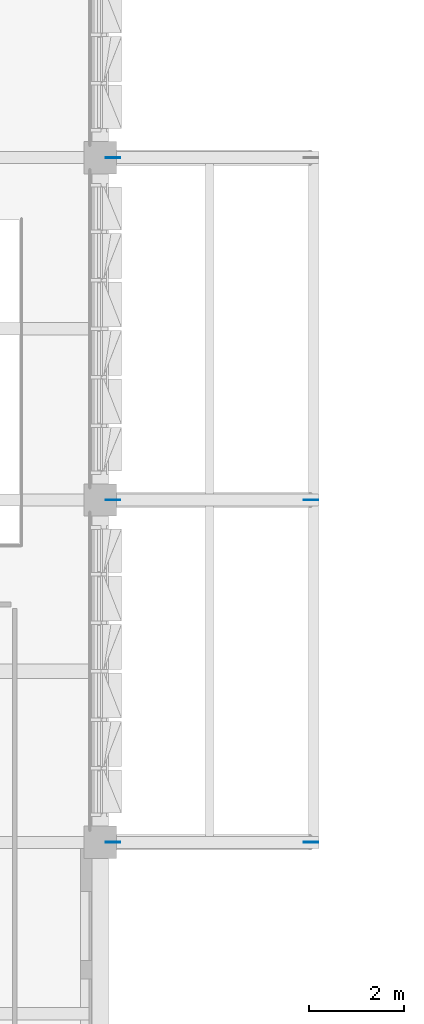
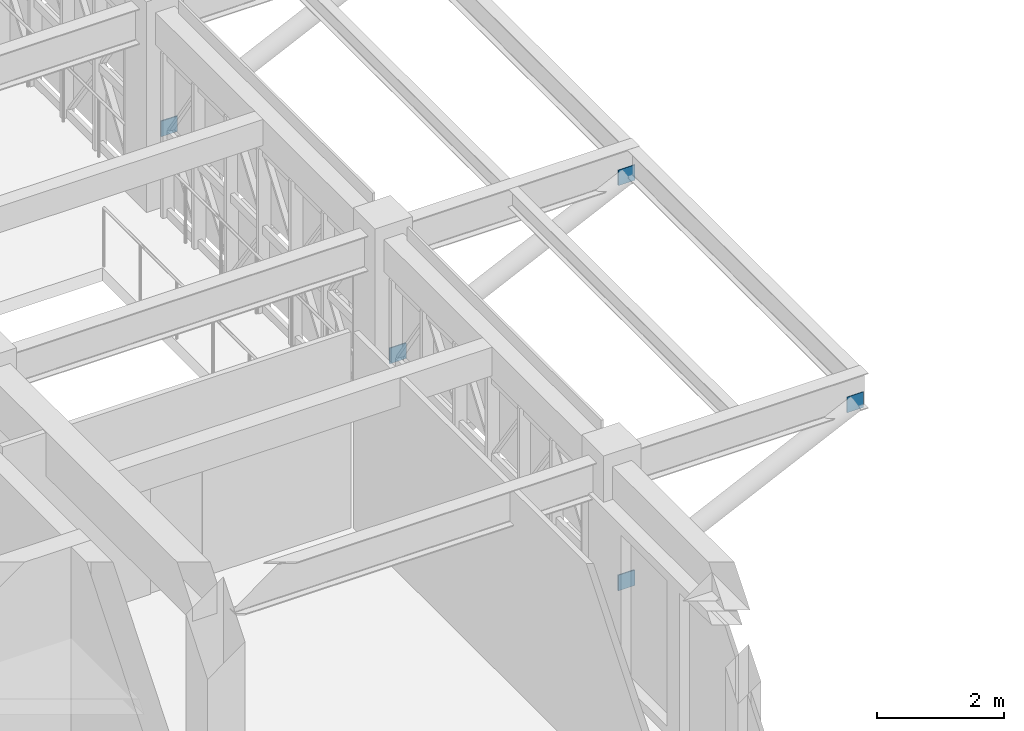
# One storey, part 39 of 88: 5 plates.
"""IFC4 building model written with IfcOpenShell, lengths in metres."""

from ifc_helpers import new_model, si_unit, direction, frame, origin, place, context, subcontext, project, spatial, polyline, outline, extrude, material, layer, layer_set, type_object, element, save


model = new_model("IFC4")

# Units and contexts
model_context = context("Model", 3, precision=1e-05, world=origin(), true_north=direction((0.0, 1.0)))
body_context = subcontext(model_context, "Body", "Model", "MODEL_VIEW")
ifc_project = project(units=[si_unit("LENGTHUNIT", "METRE"), si_unit("AREAUNIT", "SQUARE_METRE"), si_unit("VOLUMEUNIT", "CUBIC_METRE"), si_unit("PLANEANGLEUNIT", "RADIAN"), si_unit("MASSUNIT", "GRAM", prefix="KILO")], contexts=[model_context])

# Site, building, storey
site_placement = place(None, origin())
site = spatial("IfcSite", under=ifc_project, at=site_placement, CompositionType="ELEMENT")
building_placement = place(site_placement, origin())
building = spatial("IfcBuilding", under=site, at=building_placement, Name="Alvorim Cloister Faculty of Sciences", CompositionType="ELEMENT")
storey_placement = place(building_placement, frame((0.0, 0.0, 4.5)))
storey = spatial("IfcBuildingStorey", under=building, at=storey_placement, Name="L01", CompositionType="ELEMENT", Elevation=4.5)

# Plates
ifc_material = material(Name="Steel ASTM A572 Grade 50", Category="steel")
ifc_layer = layer(ifc_material, 0.02001953125)
ifc_layer_set = layer_set([ifc_layer], Name="Steel ASTM A572 Grade 50")
plate_type = type_object("IfcPlateType", Name="PL-GUS-20", PredefinedType="SHEET", material=ifc_layer_set)
for number, where, z_axis, x_axis, name in (
    (1, (28.9208984375, 21.60009765625, 1.095703125), (0.0, 0.0, 1.0), (1.0, 0.0, 0.0), "Hollow Steel End Plate ND-01"),
    (2, (33.0791015625, 21.60009765625, 3.064208984375), (0.0, 0.0, 1.0), (1.0, 0.0, 0.0), "Hollow Steel End Plate ND-01"),
    (3, (28.9208984375, 28.800048828125, 1.095703125), (0.0, 0.0, 1.0), (1.0, 0.0, 0.0), "Hollow Steel End Plate ND-01"),
    (4, (33.0791015625, 28.800048828125, 3.064208984375), (0.0, 0.0, 1.0), (1.0, 0.0, 0.0), "Hollow Steel End Plate ND-01"),
    (5, (28.9208984375, 36.0, 1.095703125), (0.0, 0.0, 1.0), (1.0, 0.0, 0.0), "Hollow Steel End Plate ND-01"),
):
    element("IfcPlate", number, at=place(storey_placement, frame(where, z_axis=z_axis, x_axis=x_axis)), inside=storey, type_object=plate_type, Name=name, PredefinedType="SHEET", context=body_context, shape_type="SweptSolid", body=[
        extrude(outline(polyline([(0.0, 0.0), (0.300048828125, 0.0), (0.300048828125, 0.300048828125), (0.0, 0.300048828125), (0.0, 0.0)])), frame((0.0, 0.010009765625, 0.0), z_axis=(0.0, -1.0, 0.0), x_axis=(1.0, 0.0, 0.0)), (0.0, 0.0, 1.0), 0.02001953125),
    ])

save(model, "model.ifc")
